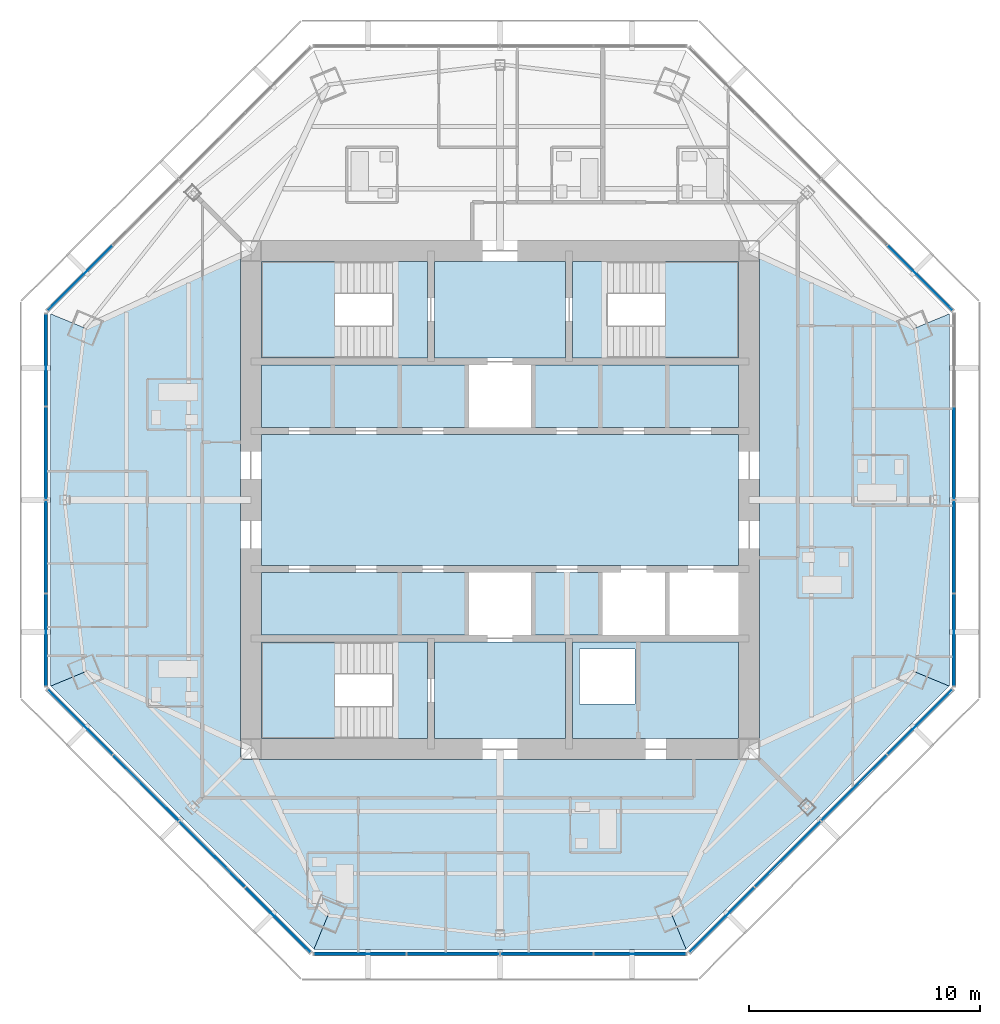
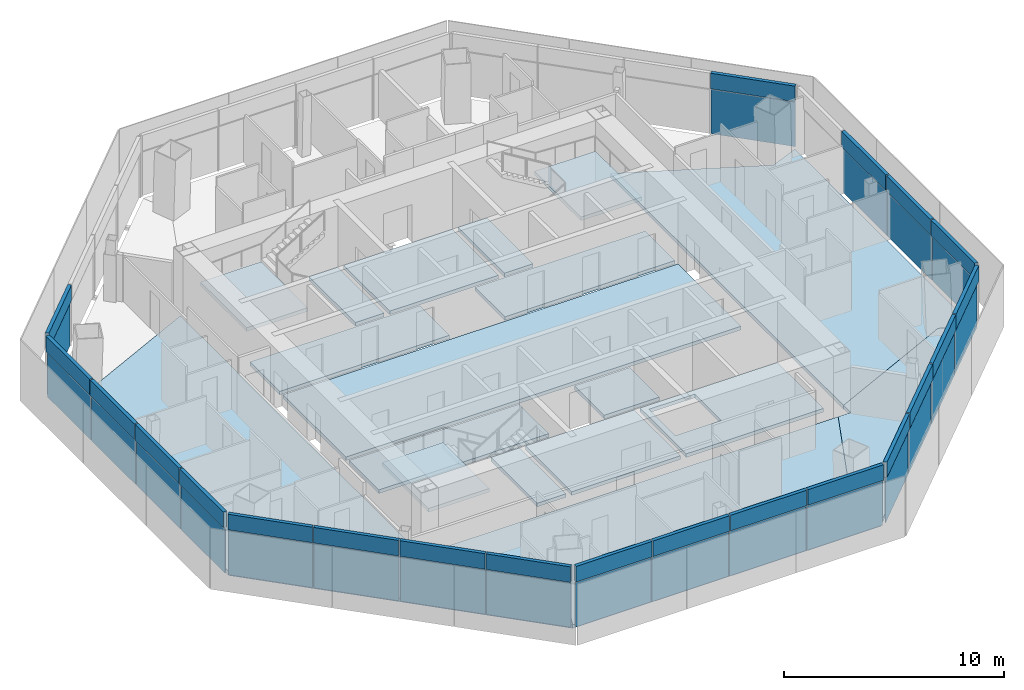
# One storey, part 7 of 15: 42 plates, 19 slabs, 10 elements without a shape of their own.
"""IFC4 building model written with IfcOpenShell, lengths in metres."""

import ifcopenshell
import ifcopenshell.guid

model = None  # the IFC model being written
_history = None  # IfcOwnerHistory: only IFC2X3 demands one
_inside = {}  # id of a spatial element -> (the spatial element, [elements in it])
_under = {}  # id of a project, library or spatial element -> (it, [spatial elements below it])
_declared = {}  # id of a project -> (the project, [libraries it declares])
_typed = {}  # id of a type object -> (the type object, [elements of that type])
_made_of = {}  # id of a material, layer set ... -> (it, [elements and type objects made of it])


def new_model(schema):
    """Start an empty IFC model of exactly this schema.

    Asked for "IFC4X3", IfcOpenShell would pick the latest addendum, in which some entities
    have other attributes; the version numbers below select the first issue.
    IFC2X3 requires an IfcOwnerHistory on every rooted entity: one is made here for all.
    """
    global model, _history
    if schema == "IFC4X3":
        model = ifcopenshell.file(schema_version=(4, 3, 0, 0))
    else:
        model = ifcopenshell.file(schema=schema)
    _inside.clear()
    _under.clear()
    _declared.clear()
    _typed.clear()
    _made_of.clear()
    _history = None
    if model.schema == "IFC2X3":
        org = make("IfcOrganization", Name="unknown")
        user = make(
            "IfcPersonAndOrganization",
            ThePerson=make("IfcPerson", FamilyName="unknown"),
            TheOrganization=org,
        )
        app = make(
            "IfcApplication",
            ApplicationDeveloper=org,
            Version="unknown",
            ApplicationFullName="unknown",
            ApplicationIdentifier="unknown",
        )
        _history = make(
            "IfcOwnerHistory",
            OwningUser=user,
            OwningApplication=app,
            ChangeAction="ADDED",
            CreationDate=0,
        )
    return model


def make(cls, **values):
    """One entity of the class cls with the attributes given. An attribute that is None is left unset."""
    return model.create_entity(
        cls, **{name: value for name, value in values.items() if value is not None}
    )


def rooted(cls, **values):
    """An entity with a GlobalId (a new one), such as an element, a storey or a relation."""
    return make(cls, GlobalId=ifcopenshell.guid.new(), OwnerHistory=_history, **values)


def si_unit(unit_type, name, prefix=None):
    """IfcSIUnit, for example si_unit("LENGTHUNIT", "METRE", prefix="MILLI")."""
    return make("IfcSIUnit", UnitType=unit_type, Prefix=prefix, Name=name)


def assignment(units):
    """IfcUnitAssignment: the units of a project."""
    return None if units is None else make("IfcUnitAssignment", Units=units)


def point(xyz):
    """IfcCartesianPoint."""
    return None if xyz is None else make("IfcCartesianPoint", Coordinates=xyz)


def direction(xyz):
    """IfcDirection."""
    return None if xyz is None else make("IfcDirection", DirectionRatios=xyz)


def frame(location, z_axis=None, x_axis=None):
    """IfcAxis2Placement3D, a coordinate frame: its origin and axes. An axis left out is left unset."""
    return make(
        "IfcAxis2Placement3D",
        Location=point(location),
        Axis=direction(z_axis),
        RefDirection=direction(x_axis),
    )


def frame_2d(location, x_axis=None):
    """IfcAxis2Placement2D, a coordinate frame in the plane: its origin and x axis."""
    return make(
        "IfcAxis2Placement2D", Location=point(location), RefDirection=direction(x_axis)
    )


def origin():
    """The frame at (0, 0, 0) with its axes left unset."""
    return frame((0.0, 0.0, 0.0))


def origin_2d():
    """The frame at (0, 0) in the plane with its x axis left unset."""
    return frame_2d((0.0, 0.0))


def place(relative_to, where):
    """IfcLocalPlacement: puts the frame where relative to a parent placement (None: the world)."""
    return make(
        "IfcLocalPlacement", PlacementRelTo=relative_to, RelativePlacement=where
    )


def context(
    kind, dimensions, precision=None, world=None, true_north=None, identifier=None
):
    """IfcGeometricRepresentationContext, for example the 3D "Model" context."""
    return make(
        "IfcGeometricRepresentationContext",
        ContextIdentifier=identifier,
        ContextType=kind,
        CoordinateSpaceDimension=dimensions,
        Precision=precision,
        WorldCoordinateSystem=world,
        TrueNorth=true_north,
    )


def subcontext(parent, identifier, kind, view, scale=None):
    """IfcGeometricRepresentationSubContext, for example "Body" below "Model"."""
    return make(
        "IfcGeometricRepresentationSubContext",
        ContextIdentifier=identifier,
        ContextType=kind,
        ParentContext=parent,
        TargetScale=scale,
        TargetView=view,
    )


def project(units=None, contexts=None):
    """IfcProject with its units and contexts."""
    return rooted(
        "IfcProject",
        Name="project",
        RepresentationContexts=contexts,
        UnitsInContext=assignment(units),
    )


def spatial(cls, under=None, at=None, **own):
    """A site, building, storey or space (cls), placed at a placement, below another one or the project."""
    s = rooted(cls, ObjectPlacement=at, **own)
    if under is not None:
        _under.setdefault(under.id(), (under, []))[1].append(s)
    return s


def polyline(points):
    """IfcPolyline through the points."""
    return make("IfcPolyline", Points=[point(p) for p in points])


def profile(cls, at=None, kind="AREA", **sizes):
    """A parametric profile (cls). Its sizes go by their IFC names, for example OverallWidth=200.0."""
    return make(cls, ProfileType=kind, Position=at, **sizes)


def rectangle(**sizes):
    """IfcRectangleProfileDef."""
    return profile("IfcRectangleProfileDef", **sizes)


def outline(outer, holes=None, kind="AREA"):
    """IfcArbitraryClosedProfileDef: a profile drawn as a closed curve; with holes, ...WithVoids."""
    if holes is None:
        return make("IfcArbitraryClosedProfileDef", ProfileType=kind, OuterCurve=outer)
    return make(
        "IfcArbitraryProfileDefWithVoids",
        ProfileType=kind,
        OuterCurve=outer,
        InnerCurves=holes,
    )


def extrude(swept, where, along, depth):
    """IfcExtrudedAreaSolid: the profile swept, set in the frame where, extruded along a direction by depth."""
    return make(
        "IfcExtrudedAreaSolid",
        SweptArea=swept,
        Position=where,
        ExtrudedDirection=direction(along),
        Depth=depth,
    )


def shape(context_of_items, identifier, shape_type, items):
    """IfcShapeRepresentation: the items that make up one representation, for example the "Body"."""
    return make(
        "IfcShapeRepresentation",
        ContextOfItems=context_of_items,
        RepresentationIdentifier=identifier,
        RepresentationType=shape_type,
        Items=items,
    )


def source(mapping_origin, context_of_items, identifier, shape_type, items):
    """IfcRepresentationMap: a shape defined once, which mapped items show again and again."""
    return make(
        "IfcRepresentationMap",
        MappingOrigin=mapping_origin,
        MappedRepresentation=shape(context_of_items, identifier, shape_type, items),
    )


def transform(
    local_origin,
    x_axis=None,
    y_axis=None,
    z_axis=None,
    scale=None,
    scale2=None,
    scale3=None,
    uniform=True,
):
    """IfcCartesianTransformationOperator3D, or its non-uniform kind. x_axis, y_axis, z_axis: its Axis1, 2, 3."""
    if uniform:
        return make(
            "IfcCartesianTransformationOperator3D",
            Axis1=direction(x_axis),
            Axis2=direction(y_axis),
            LocalOrigin=point(local_origin),
            Scale=scale,
            Axis3=direction(z_axis),
        )
    return make(
        "IfcCartesianTransformationOperator3DnonUniform",
        Axis1=direction(x_axis),
        Axis2=direction(y_axis),
        LocalOrigin=point(local_origin),
        Scale=scale,
        Axis3=direction(z_axis),
        Scale2=scale2,
        Scale3=scale3,
    )


def mapped(mapping_source, mapping_target):
    """IfcMappedItem: shows the shape of a source again, moved by a transform."""
    return make(
        "IfcMappedItem", MappingSource=mapping_source, MappingTarget=mapping_target
    )


def material(Name=None, Category=None):
    """IfcMaterial."""
    return make("IfcMaterial", Name=Name, Category=Category)


def layer(
    of_material, thickness, ventilated=None, Name=None, Category=None, Priority=None
):
    """IfcMaterialLayer: one layer of a wall or slab, of a material (None: an air gap)."""
    return make(
        "IfcMaterialLayer",
        Material=of_material,
        LayerThickness=thickness,
        IsVentilated=ventilated,
        Name=Name,
        Category=Category,
        Priority=Priority,
    )


def layer_set(layers, Name=None):
    """IfcMaterialLayerSet."""
    return make("IfcMaterialLayerSet", MaterialLayers=layers, LayerSetName=Name)


def made_of(thing, what):
    """Note that an element or type object is made of a material, layer set ...; save() writes the relation."""
    if what is not None:
        _made_of.setdefault(what.id(), (what, []))[1].append(thing)
    return thing


def type_object(cls, material=None, **own):
    """A type object (cls), such as IfcWallType, which elements share."""
    return made_of(rooted(cls, **own), material)


def type_shapes(of_type, sources):
    """Give a type object the sources (RepresentationMaps) that its elements show as mapped items."""
    of_type.RepresentationMaps = sources


def element(
    cls,
    number,
    at=None,
    inside=None,
    cuts=None,
    type_object=None,
    material=None,
    context=None,
    identifier="Body",
    shape_type=None,
    held_by="IfcProductDefinitionShape",
    body=None,
    shapes=None,
    **own,
):
    """One element of the class cls, such as IfcWall. Its Tag is "e" and its number.

    at: its placement. inside: the storey or other place that contains it. cuts: it is an
    opening in that element (IfcRelVoidsElement). A single representation is given by context,
    identifier, shape_type and body (its items); several are given by shapes. held_by: the class
    of the entity that holds the representations. save() writes the other relations.
    """
    e = rooted(cls, Tag="e%d" % number, ObjectPlacement=at, **own)
    if body is not None:
        shapes = [shape(context, identifier, shape_type, body)]
    if shapes is not None:
        e.Representation = make(held_by, Representations=shapes)
    if inside is not None:
        _inside.setdefault(inside.id(), (inside, []))[1].append(e)
    if cuts is not None:
        rooted(
            "IfcRelVoidsElement", RelatingBuildingElement=cuts, RelatedOpeningElement=e
        )
    if type_object is not None:
        _typed.setdefault(type_object.id(), (type_object, []))[1].append(e)
    return made_of(e, material)


def aggregate(whole, parts):
    """IfcRelAggregates: a whole, such as a stair, and the parts it consists of."""
    return rooted("IfcRelAggregates", RelatingObject=whole, RelatedObjects=parts)


def save(model, path):
    """Write the relations noted so far, then the file.

    IfcRelAggregates (storeys below a building ...), IfcRelContainedInSpatialStructure (elements
    in a storey), IfcRelDefinesByType, IfcRelAssociatesMaterial and IfcRelDeclares: one each for
    every whole, place, type object, material and project.
    """
    for whole, parts in _under.values():
        aggregate(whole, parts)
    for where, things in _inside.values():
        rooted(
            "IfcRelContainedInSpatialStructure",
            RelatedElements=things,
            RelatingStructure=where,
        )
    for kind, things in _typed.values():
        rooted("IfcRelDefinesByType", RelatedObjects=things, RelatingType=kind)
    for what, things in _made_of.values():
        rooted("IfcRelAssociatesMaterial", RelatedObjects=things, RelatingMaterial=what)
    for by, libraries in _declared.values():
        rooted("IfcRelDeclares", RelatingContext=by, RelatedDefinitions=libraries)
    model.write(path)


model = new_model("IFC4")

# Units and contexts
model_context = context("Model", 3, precision=1e-05, world=origin(), true_north=direction((0.0, 1.0)))
body_context = subcontext(model_context, "Body", "Model", "MODEL_VIEW")
ifc_project = project(units=[si_unit("LENGTHUNIT", "METRE"), si_unit("AREAUNIT", "SQUARE_METRE"), si_unit("VOLUMEUNIT", "CUBIC_METRE"), si_unit("PLANEANGLEUNIT", "RADIAN"), si_unit("MASSUNIT", "GRAM", prefix="KILO")], contexts=[model_context])

# Site, building, storey
site_placement = place(None, origin())
site = spatial("IfcSite", under=ifc_project, at=site_placement, CompositionType="ELEMENT")
building_placement = place(site_placement, origin())
building = spatial("IfcBuilding", under=site, at=building_placement, Name="Mashrafa Tower", CompositionType="ELEMENT")
storey_placement = place(building_placement, frame((0.0, 0.0, 294.60009765625)))
storey = spatial("IfcBuildingStorey", under=building, at=storey_placement, Name="L72", CompositionType="ELEMENT", Elevation=294.60009765625)

# Slabs
ifc_material_1 = material(Name="Concrete C35/45", Category="concrete")
ifc_layer_1 = layer(ifc_material_1, 0.199951171875)
ifc_layer_set_1 = layer_set([ifc_layer_1], Name="Floor slab 200")
slab_type_1 = type_object("IfcSlabType", Name="Floor slab 200", PredefinedType="FLOOR", material=ifc_layer_set_1)
slab_1_placement = place(storey_placement, frame((0.0, 0.0, -0.2001953125)))
element("IfcSlab", 1, at=slab_1_placement, inside=storey, type_object=slab_type_1, Name="Floor slab L72 east bay", PredefinedType="FLOOR", context=body_context, shape_type="SweptSolid", body=[
    extrude(outline(polyline([(19.48095703125, -8.0693359375), (18.00830078125, -7.459228515625), (11.25, -10.591552734375), (11.25, 10.591552734375), (18.00830078125, 7.459228515625), (19.48095703125, 8.0693359375), (19.48095703125, -8.0693359375)])), origin(), (0.0, 0.0, 1.0), 0.2001953125),
])
slab_2_placement = place(storey_placement, frame((0.0, 0.0, -0.2001953125)))
element("IfcSlab", 2, at=slab_2_placement, inside=storey, type_object=slab_type_1, Name="Floor slab L72 west bay", PredefinedType="FLOOR", context=body_context, shape_type="SweptSolid", body=[
    extrude(outline(polyline([(-19.48095703125, 8.0693359375), (-18.00830078125, 7.459228515625), (-11.25, 10.591552734375), (-11.25, -10.591552734375), (-18.00830078125, -7.459228515625), (-19.48095703125, -8.0693359375), (-19.48095703125, 8.0693359375)])), origin(), (0.0, 0.0, 1.0), 0.2001953125),
])
slab_3_placement = place(storey_placement, frame((0.0, 0.0, -0.2001953125)))
element("IfcSlab", 3, at=slab_3_placement, inside=storey, type_object=slab_type_1, Name="Floor slab L72 south-west bay", PredefinedType="FLOOR", context=body_context, shape_type="SweptSolid", body=[
    extrude(outline(polyline([(-8.0693359375, -19.48095703125), (-19.48095703125, -8.0693359375), (-19.48095703125, -8.0693359375), (-18.00830078125, -7.459228515625), (-11.25, -10.591552734375), (-11.25, -11.25), (-10.591552734375, -11.25), (-7.459228515625, -18.00830078125), (-8.0693359375, -19.48095703125), (-8.0693359375, -19.48095703125)])), origin(), (0.0, 0.0, 1.0), 0.2001953125),
])
slab_4_placement = place(storey_placement, frame((0.0, 0.0, -0.2001953125)))
element("IfcSlab", 4, at=slab_4_placement, inside=storey, type_object=slab_type_1, Name="Floor slab L72 south bay", PredefinedType="FLOOR", context=body_context, shape_type="SweptSolid", body=[
    extrude(outline(polyline([(-8.0693359375, -19.48095703125), (-7.459228515625, -18.00830078125), (-10.591552734375, -11.25), (10.591552734375, -11.25), (7.459228515625, -18.00830078125), (8.0693359375, -19.48095703125), (-8.0693359375, -19.48095703125)])), origin(), (0.0, 0.0, 1.0), 0.2001953125),
])
slab_5_placement = place(storey_placement, frame((0.0, 0.0, -0.2001953125)))
element("IfcSlab", 5, at=slab_5_placement, inside=storey, type_object=slab_type_1, Name="Floor slab L72 south-east bay", PredefinedType="FLOOR", context=body_context, shape_type="SweptSolid", body=[
    extrude(outline(polyline([(8.0693359375, -19.48095703125), (7.459228515625, -18.00830078125), (10.591552734375, -11.25), (11.25, -11.25), (11.25, -10.591552734375), (18.00830078125, -7.459228515625), (19.48095703125, -8.0693359375), (19.48095703125, -8.0693359375), (8.0693359375, -19.48095703125), (8.0693359375, -19.48095703125)])), origin(), (0.0, 0.0, 1.0), 0.2001953125),
])
slab_6_placement = place(storey_placement, frame((0.0, 0.0, -0.2001953125)))
element("IfcSlab", 6, at=slab_6_placement, inside=storey, type_object=slab_type_1, Name="Core floor lift hall L72", PredefinedType="FLOOR", context=body_context, shape_type="SweptSolid", body=[
    extrude(outline(polyline([(-10.35009765625, 2.85009765625), (10.35009765625, 2.85009765625), (10.35009765625, -2.85009765625), (-10.35009765625, -2.85009765625), (-10.35009765625, 2.85009765625)])), origin(), (0.0, 0.0, 1.0), 0.2001953125),
])
slab_7_placement = place(storey_placement, frame((0.0, 0.0, -0.2001953125)))
element("IfcSlab", 7, at=slab_7_placement, inside=storey, type_object=slab_type_1, Name="Core floor riser and electrical band L72", PredefinedType="FLOOR", context=body_context, shape_type="SweptSolid", body=[
    extrude(outline(polyline([(10.35009765625, -6.14990234375), (10.35009765625, -10.35009765625), (3.14990234375, -10.35009765625), (3.14990234375, -6.14990234375), (10.35009765625, -6.14990234375)]), holes=[polyline([(3.449951171875, -8.85009765625), (5.85009765625, -8.85009765625), (5.85009765625, -6.449951171875), (3.449951171875, -6.449951171875), (3.449951171875, -8.85009765625)])]), origin(), (0.0, 0.0, 1.0), 0.2001953125),
])
slab_8_placement = place(storey_placement, frame((0.0, 0.0, -0.2001953125)))
element("IfcSlab", 8, at=slab_8_placement, inside=storey, type_object=slab_type_1, Name="Core floor lift cell L72", PredefinedType="FLOOR", context=body_context, shape_type="SweptSolid", body=[
    extrude(outline(polyline([(10.35009765625, 5.85009765625), (10.35009765625, 3.14990234375), (1.449951171875, 3.14990234375), (1.449951171875, 5.85009765625), (10.35009765625, 5.85009765625)])), origin(), (0.0, 0.0, 1.0), 0.2001953125),
])
slab_9_placement = place(storey_placement, frame((0.0, 0.0, -0.2001953125)))
element("IfcSlab", 9, at=slab_9_placement, inside=storey, type_object=slab_type_1, Name="Core floor lift cell L72", PredefinedType="FLOOR", context=body_context, shape_type="SweptSolid", body=[
    extrude(outline(polyline([(-1.449951171875, 3.14990234375), (-10.35009765625, 3.14990234375), (-10.35009765625, 5.85009765625), (-1.449951171875, 5.85009765625), (-1.449951171875, 3.14990234375)])), origin(), (0.0, 0.0, 1.0), 0.2001953125),
])
slab_10_placement = place(storey_placement, frame((0.0, 0.0, -0.2001953125)))
element("IfcSlab", 10, at=slab_10_placement, inside=storey, type_object=slab_type_1, Name="Core floor lift cell L72", PredefinedType="FLOOR", context=body_context, shape_type="SweptSolid", body=[
    extrude(outline(polyline([(-1.449951171875, -3.14990234375), (-1.449951171875, -5.85009765625), (-10.35009765625, -5.85009765625), (-10.35009765625, -3.14990234375), (-1.449951171875, -3.14990234375)])), origin(), (0.0, 0.0, 1.0), 0.2001953125),
])
slab_11_placement = place(storey_placement, frame((0.0, 0.0, -0.2001953125)))
element("IfcSlab", 11, at=slab_11_placement, inside=storey, type_object=slab_type_1, Name="Core floor fire-fighting lobby south L72", PredefinedType="FLOOR", context=body_context, shape_type="SweptSolid", body=[
    extrude(outline(polyline([(2.85009765625, -6.14990234375), (2.85009765625, -10.35009765625), (-2.85009765625, -10.35009765625), (-2.85009765625, -6.14990234375), (2.85009765625, -6.14990234375)])), origin(), (0.0, 0.0, 1.0), 0.2001953125),
])
slab_12_placement = place(storey_placement, frame((0.0, 0.0, -0.2001953125)))
element("IfcSlab", 12, at=slab_12_placement, inside=storey, type_object=slab_type_1, Name="Core floor fire-fighting lobby north L72", PredefinedType="FLOOR", context=body_context, shape_type="SweptSolid", body=[
    extrude(outline(polyline([(-2.85009765625, 10.35009765625), (2.85009765625, 10.35009765625), (2.85009765625, 6.14990234375), (-2.85009765625, 6.14990234375), (-2.85009765625, 10.35009765625)])), origin(), (0.0, 0.0, 1.0), 0.2001953125),
])
slab_13_placement = place(storey_placement, frame((0.0, 0.0, -0.2001953125)))
element("IfcSlab", 13, at=slab_13_placement, inside=storey, type_object=slab_type_1, Name="Core floor lift cell L72", PredefinedType="FLOOR", context=body_context, shape_type="SweptSolid", body=[
    extrude(outline(polyline([(4.35009765625, -3.14990234375), (4.35009765625, -5.85009765625), (1.449951171875, -5.85009765625), (1.449951171875, -3.14990234375), (4.35009765625, -3.14990234375)])), origin(), (0.0, 0.0, 1.0), 0.2001953125),
])

# Stair, slabs
ifc_material_2 = material(Name="Exit stair 1400")
stair_type = type_object("IfcStairType", Name="Exit stair 1400", PredefinedType="HALF_TURN_STAIR", material=ifc_material_2)
stair_1_placement = place(storey_placement, origin())
stair_1 = element("IfcStair", 14, at=stair_1_placement, inside=storey, type_object=stair_type, Name="Stair S1 L72", PredefinedType="HALF_TURN_STAIR")
ifc_material_3 = material(Name="Concrete C32/40", Category="concrete")
ifc_layer_2 = layer(ifc_material_3, 0.199951171875)
ifc_layer_set_2 = layer_set([ifc_layer_2], Name="Stair landing 200")
slab_type_2 = type_object("IfcSlabType", Name="Stair landing 200", PredefinedType="LANDING", material=ifc_layer_set_2)
slab_14_placement = place(storey_placement, frame((0.0, 0.0, -0.2001953125)))
slab_14 = element("IfcSlab", 15, at=slab_14_placement, type_object=slab_type_2, Name="S1 landing 1", PredefinedType="LANDING", context=body_context, shape_type="SweptSolid", body=[
    extrude(outline(polyline([(-4.659912109375, 6.14990234375), (-3.14990234375, 6.14990234375), (-3.14990234375, 10.35009765625), (-4.659912109375, 10.35009765625), (-4.659912109375, 6.14990234375)])), origin(), (0.0, 0.0, 1.0), 0.2001953125),
])
slab_15_placement = place(storey_placement, frame((0.0, 0.0, 1.5)))
slab_15 = element("IfcSlab", 16, at=slab_15_placement, type_object=slab_type_2, Name="S1 landing 2", PredefinedType="LANDING", context=body_context, shape_type="SweptSolid", body=[
    extrude(outline(polyline([(-10.35009765625, 6.14990234375), (-7.159912109375, 6.14990234375), (-7.159912109375, 10.35009765625), (-10.35009765625, 10.35009765625), (-10.35009765625, 6.14990234375)])), origin(), (0.0, 0.0, 1.0), 0.199951171875),
])
aggregate(stair_1, [slab_14, slab_15])

stair_2_placement = place(storey_placement, origin())
stair_2 = element("IfcStair", 17, at=stair_2_placement, inside=storey, type_object=stair_type, Name="Stair S2 L72", PredefinedType="HALF_TURN_STAIR")
slab_16_placement = place(storey_placement, frame((0.0, 0.0, -0.2001953125)))
slab_16 = element("IfcSlab", 18, at=slab_16_placement, type_object=slab_type_2, Name="S2 landing 1", PredefinedType="LANDING", context=body_context, shape_type="SweptSolid", body=[
    extrude(outline(polyline([(3.14990234375, 6.14990234375), (4.659912109375, 6.14990234375), (4.659912109375, 10.35009765625), (3.14990234375, 10.35009765625), (3.14990234375, 6.14990234375)])), origin(), (0.0, 0.0, 1.0), 0.2001953125),
])
slab_17_placement = place(storey_placement, frame((0.0, 0.0, 1.5)))
slab_17 = element("IfcSlab", 19, at=slab_17_placement, type_object=slab_type_2, Name="S2 landing 2", PredefinedType="LANDING", context=body_context, shape_type="SweptSolid", body=[
    extrude(outline(polyline([(7.159912109375, 6.14990234375), (10.35009765625, 6.14990234375), (10.35009765625, 10.35009765625), (7.159912109375, 10.35009765625), (7.159912109375, 6.14990234375)])), origin(), (0.0, 0.0, 1.0), 0.199951171875),
])
aggregate(stair_2, [slab_16, slab_17])

stair_3_placement = place(storey_placement, origin())
stair_3 = element("IfcStair", 20, at=stair_3_placement, inside=storey, type_object=stair_type, Name="Stair S3 L72", PredefinedType="HALF_TURN_STAIR")
slab_18_placement = place(storey_placement, frame((0.0, 0.0, -0.2001953125)))
slab_18 = element("IfcSlab", 21, at=slab_18_placement, type_object=slab_type_2, Name="S3 landing 1", PredefinedType="LANDING", context=body_context, shape_type="SweptSolid", body=[
    extrude(outline(polyline([(-4.659912109375, -10.35009765625), (-3.14990234375, -10.35009765625), (-3.14990234375, -6.14990234375), (-4.659912109375, -6.14990234375), (-4.659912109375, -10.35009765625)])), origin(), (0.0, 0.0, 1.0), 0.2001953125),
])
slab_19_placement = place(storey_placement, frame((0.0, 0.0, 1.5)))
slab_19 = element("IfcSlab", 22, at=slab_19_placement, type_object=slab_type_2, Name="S3 landing 2", PredefinedType="LANDING", context=body_context, shape_type="SweptSolid", body=[
    extrude(outline(polyline([(-10.35009765625, -10.35009765625), (-7.159912109375, -10.35009765625), (-7.159912109375, -6.14990234375), (-10.35009765625, -6.14990234375), (-10.35009765625, -10.35009765625)])), origin(), (0.0, 0.0, 1.0), 0.199951171875),
])
aggregate(stair_3, [slab_18, slab_19])

# Curtain wall, plate
ifc_material_4 = material(Name="Unitised aluminium curtain wall", Category="aluminium")
curtain_wall_type = type_object("IfcCurtainWallType", Name="Apartment curtain wall, zone 4 CW-D 160 deep", PredefinedType="NOTDEFINED", material=ifc_material_4)
curtain_wall_1_placement = place(storey_placement, origin())
curtain_wall_1 = element("IfcCurtainWall", 23, at=curtain_wall_1_placement, inside=storey, type_object=curtain_wall_type, Name="Apartment curtain wall, zone 4 L72 east", PredefinedType="NOTDEFINED")
ifc_material_5 = material(Name="Insulated double glazing, acoustic", Category="glass")
ifc_layer_3 = layer(ifc_material_5, 0.028076171875)
ifc_layer_set_3 = layer_set([ifc_layer_3], Name="Vision panel CW-D 28")
plate_type_1 = type_object("IfcPlateType", Name="Vision panel CW-D 28", PredefinedType="CURTAIN_PANEL", material=ifc_layer_set_3)
shared_shape_1 = source(origin(), body_context, "Body", "SweptSolid", [
    extrude(rectangle(XDim=3.964599609375, YDim=0.028076171875, at=origin_2d()), origin(), (0.0, 0.0, 1.0), 2.46240234375),
])
plate_1_placement = place(storey_placement, frame((19.680908203125, -6.066650390625, 0.0), z_axis=(0.0, 0.0, 1.0), x_axis=(0.0, 1.0, 0.0)))
plate_1 = element("IfcPlate", 24, at=plate_1_placement, type_object=plate_type_1, Name="CW-D vision panel 1", PredefinedType="CURTAIN_PANEL", context=body_context, shape_type="MappedRepresentation", body=[
    mapped(shared_shape_1, transform((0.0, 0.0, 0.0))),
])

curtain_wall_2_placement = place(storey_placement, origin())
curtain_wall_2 = element("IfcCurtainWall", 25, at=curtain_wall_2_placement, inside=storey, type_object=curtain_wall_type, Name="Apartment curtain wall, zone 4 L72 north-east", PredefinedType="NOTDEFINED")
plate_2_placement = place(storey_placement, frame((18.206298828125, 9.626708984375, 0.0), z_axis=(0.0, 0.0, 1.0), x_axis=(-0.707106781187, 0.707106781187, 0.0)))
plate_2 = element("IfcPlate", 26, at=plate_2_placement, type_object=plate_type_1, Name="CW-D vision panel 1", PredefinedType="CURTAIN_PANEL", context=body_context, shape_type="MappedRepresentation", body=[
    mapped(shared_shape_1, transform((0.0, 0.0, 0.0))),
])

curtain_wall_3_placement = place(storey_placement, origin())
curtain_wall_3 = element("IfcCurtainWall", 27, at=curtain_wall_3_placement, inside=storey, type_object=curtain_wall_type, Name="Apartment curtain wall, zone 4 L72 north-west", PredefinedType="NOTDEFINED")
plate_3_placement = place(storey_placement, frame((-18.206298828125, 9.626708984375, 0.0), z_axis=(0.0, 0.0, 1.0), x_axis=(-0.707106781187, -0.707106781187, 0.0)))
plate_3 = element("IfcPlate", 28, at=plate_3_placement, type_object=plate_type_1, Name="CW-D vision panel 4", PredefinedType="CURTAIN_PANEL", context=body_context, shape_type="MappedRepresentation", body=[
    mapped(shared_shape_1, transform((0.0, 0.0, 0.0))),
])

# Curtain wall, plates
curtain_wall_4_placement = place(storey_placement, origin())
curtain_wall_4 = element("IfcCurtainWall", 29, at=curtain_wall_4_placement, inside=storey, type_object=curtain_wall_type, Name="Apartment curtain wall, zone 4 L72 west", PredefinedType="NOTDEFINED")
plate_4_placement = place(storey_placement, frame((-19.680908203125, 6.066650390625, 0.0), z_axis=(0.0, 0.0, 1.0), x_axis=(0.0, -1.0, 0.0)))
plate_4 = element("IfcPlate", 30, at=plate_4_placement, type_object=plate_type_1, Name="CW-D vision panel 1", PredefinedType="CURTAIN_PANEL", context=body_context, shape_type="MappedRepresentation", body=[
    mapped(shared_shape_1, transform((0.0, 0.0, 0.0))),
])
plate_5_placement = place(storey_placement, frame((-19.680908203125, -6.066650390625, 0.0), z_axis=(0.0, 0.0, 1.0), x_axis=(0.0, -1.0, 0.0)))
plate_5 = element("IfcPlate", 31, at=plate_5_placement, type_object=plate_type_1, Name="CW-D vision panel 4", PredefinedType="CURTAIN_PANEL", context=body_context, shape_type="MappedRepresentation", body=[
    mapped(shared_shape_1, transform((0.0, 0.0, 0.0))),
])

curtain_wall_5_placement = place(storey_placement, origin())
curtain_wall_5 = element("IfcCurtainWall", 32, at=curtain_wall_5_placement, inside=storey, type_object=curtain_wall_type, Name="Apartment curtain wall, zone 4 L72 south-west", PredefinedType="NOTDEFINED")
plate_6_placement = place(storey_placement, frame((-18.206298828125, -9.626708984375, 0.0), z_axis=(0.0, 0.0, 1.0), x_axis=(0.707106781187, -0.707106781187, 0.0)))
plate_6 = element("IfcPlate", 33, at=plate_6_placement, type_object=plate_type_1, Name="CW-D vision panel 1", PredefinedType="CURTAIN_PANEL", context=body_context, shape_type="MappedRepresentation", body=[
    mapped(shared_shape_1, transform((0.0, 0.0, 0.0))),
])
plate_7_placement = place(storey_placement, frame((-9.626708984375, -18.206298828125, 0.0), z_axis=(0.0, 0.0, 1.0), x_axis=(0.707106781187, -0.707106781187, 0.0)))
plate_7 = element("IfcPlate", 34, at=plate_7_placement, type_object=plate_type_1, Name="CW-D vision panel 4", PredefinedType="CURTAIN_PANEL", context=body_context, shape_type="MappedRepresentation", body=[
    mapped(shared_shape_1, transform((0.0, 0.0, 0.0))),
])

curtain_wall_6_placement = place(storey_placement, origin())
curtain_wall_6 = element("IfcCurtainWall", 35, at=curtain_wall_6_placement, inside=storey, type_object=curtain_wall_type, Name="Apartment curtain wall, zone 4 L72 south", PredefinedType="NOTDEFINED")
plate_8_placement = place(storey_placement, frame((-6.066650390625, -19.680908203125, 0.0), z_axis=(0.0, 0.0, 1.0), x_axis=(1.0, 0.0, 0.0)))
plate_8 = element("IfcPlate", 36, at=plate_8_placement, type_object=plate_type_1, Name="CW-D vision panel 1", PredefinedType="CURTAIN_PANEL", context=body_context, shape_type="MappedRepresentation", body=[
    mapped(shared_shape_1, transform((0.0, 0.0, 0.0))),
])
plate_9_placement = place(storey_placement, frame((6.066650390625, -19.680908203125, 0.0), z_axis=(0.0, 0.0, 1.0), x_axis=(1.0, 0.0, 0.0)))
plate_9 = element("IfcPlate", 37, at=plate_9_placement, type_object=plate_type_1, Name="CW-D vision panel 4", PredefinedType="CURTAIN_PANEL", context=body_context, shape_type="MappedRepresentation", body=[
    mapped(shared_shape_1, transform((0.0, 0.0, 0.0))),
])

curtain_wall_7_placement = place(storey_placement, origin())
curtain_wall_7 = element("IfcCurtainWall", 38, at=curtain_wall_7_placement, inside=storey, type_object=curtain_wall_type, Name="Apartment curtain wall, zone 4 L72 south-east", PredefinedType="NOTDEFINED")
plate_10_placement = place(storey_placement, frame((9.626708984375, -18.206298828125, 0.0), z_axis=(0.0, 0.0, 1.0), x_axis=(0.707106781187, 0.707106781187, 0.0)))
plate_10 = element("IfcPlate", 39, at=plate_10_placement, type_object=plate_type_1, Name="CW-D vision panel 1", PredefinedType="CURTAIN_PANEL", context=body_context, shape_type="MappedRepresentation", body=[
    mapped(shared_shape_1, transform((0.0, 0.0, 0.0))),
])
plate_11_placement = place(storey_placement, frame((18.206298828125, -9.626708984375, 0.0), z_axis=(0.0, 0.0, 1.0), x_axis=(0.707106781187, 0.707106781187, 0.0)))
plate_11 = element("IfcPlate", 40, at=plate_11_placement, type_object=plate_type_1, Name="CW-D vision panel 4", PredefinedType="CURTAIN_PANEL", context=body_context, shape_type="MappedRepresentation", body=[
    mapped(shared_shape_1, transform((0.0, 0.0, 0.0))),
])

# Plate
ifc_material_6 = material(Name="Insulated bronze aluminium spandrel panel", Category="aluminium")
ifc_layer_4 = layer(ifc_material_6, 0.179931640625)
ifc_layer_set_4 = layer_set([ifc_layer_4], Name="Spandrel panel CW-D 180")
plate_type_2 = type_object("IfcPlateType", Name="Spandrel panel CW-D 180", PredefinedType="CURTAIN_PANEL", material=ifc_layer_set_4)
shared_shape_2 = source(origin(), body_context, "Body", "SweptSolid", [
    extrude(rectangle(XDim=3.964599609375, YDim=0.179931640625, at=origin_2d()), origin(), (0.0, 0.0, 1.0), 0.862548828125),
])
plate_12_placement = place(storey_placement, frame((19.680908203125, -6.066650390625, 2.53759765625), z_axis=(0.0, 0.0, 1.0), x_axis=(0.0, 1.0, 0.0)))
plate_12 = element("IfcPlate", 41, at=plate_12_placement, type_object=plate_type_2, Name="CW-D spandrel panel 1", PredefinedType="CURTAIN_PANEL", context=body_context, shape_type="MappedRepresentation", body=[
    mapped(shared_shape_2, transform((0.0, 0.0, 0.0))),
])

plate_13_placement = place(storey_placement, frame((18.206298828125, 9.626708984375, 2.53759765625), z_axis=(0.0, 0.0, 1.0), x_axis=(-0.707106781187, 0.707106781187, 0.0)))
plate_13 = element("IfcPlate", 42, at=plate_13_placement, type_object=plate_type_2, Name="CW-D spandrel panel 1", PredefinedType="CURTAIN_PANEL", context=body_context, shape_type="MappedRepresentation", body=[
    mapped(shared_shape_2, transform((0.0, 0.0, 0.0))),
])

aggregate(curtain_wall_2, [plate_2, plate_13])

plate_14_placement = place(storey_placement, frame((-18.206298828125, 9.626708984375, 2.53759765625), z_axis=(0.0, 0.0, 1.0), x_axis=(-0.707106781187, -0.707106781187, 0.0)))
plate_14 = element("IfcPlate", 43, at=plate_14_placement, type_object=plate_type_2, Name="CW-D spandrel panel 4", PredefinedType="CURTAIN_PANEL", context=body_context, shape_type="MappedRepresentation", body=[
    mapped(shared_shape_2, transform((0.0, 0.0, 0.0))),
])

aggregate(curtain_wall_3, [plate_3, plate_14])

plate_15_placement = place(storey_placement, frame((-19.680908203125, 6.066650390625, 2.53759765625), z_axis=(0.0, 0.0, 1.0), x_axis=(0.0, -1.0, 0.0)))
plate_15 = element("IfcPlate", 44, at=plate_15_placement, type_object=plate_type_2, Name="CW-D spandrel panel 1", PredefinedType="CURTAIN_PANEL", context=body_context, shape_type="MappedRepresentation", body=[
    mapped(shared_shape_2, transform((0.0, 0.0, 0.0))),
])

plate_16_placement = place(storey_placement, frame((-19.680908203125, -6.066650390625, 2.53759765625), z_axis=(0.0, 0.0, 1.0), x_axis=(0.0, -1.0, 0.0)))
plate_16 = element("IfcPlate", 45, at=plate_16_placement, type_object=plate_type_2, Name="CW-D spandrel panel 4", PredefinedType="CURTAIN_PANEL", context=body_context, shape_type="MappedRepresentation", body=[
    mapped(shared_shape_2, transform((0.0, 0.0, 0.0))),
])

plate_17_placement = place(storey_placement, frame((-18.206298828125, -9.626708984375, 2.53759765625), z_axis=(0.0, 0.0, 1.0), x_axis=(0.707106781187, -0.707106781187, 0.0)))
plate_17 = element("IfcPlate", 46, at=plate_17_placement, type_object=plate_type_2, Name="CW-D spandrel panel 1", PredefinedType="CURTAIN_PANEL", context=body_context, shape_type="MappedRepresentation", body=[
    mapped(shared_shape_2, transform((0.0, 0.0, 0.0))),
])

plate_18_placement = place(storey_placement, frame((-9.626708984375, -18.206298828125, 2.53759765625), z_axis=(0.0, 0.0, 1.0), x_axis=(0.707106781187, -0.707106781187, 0.0)))
plate_18 = element("IfcPlate", 47, at=plate_18_placement, type_object=plate_type_2, Name="CW-D spandrel panel 4", PredefinedType="CURTAIN_PANEL", context=body_context, shape_type="MappedRepresentation", body=[
    mapped(shared_shape_2, transform((0.0, 0.0, 0.0))),
])

plate_19_placement = place(storey_placement, frame((-6.066650390625, -19.680908203125, 2.53759765625), z_axis=(0.0, 0.0, 1.0), x_axis=(1.0, 0.0, 0.0)))
plate_19 = element("IfcPlate", 48, at=plate_19_placement, type_object=plate_type_2, Name="CW-D spandrel panel 1", PredefinedType="CURTAIN_PANEL", context=body_context, shape_type="MappedRepresentation", body=[
    mapped(shared_shape_2, transform((0.0, 0.0, 0.0))),
])

plate_20_placement = place(storey_placement, frame((6.066650390625, -19.680908203125, 2.53759765625), z_axis=(0.0, 0.0, 1.0), x_axis=(1.0, 0.0, 0.0)))
plate_20 = element("IfcPlate", 49, at=plate_20_placement, type_object=plate_type_2, Name="CW-D spandrel panel 4", PredefinedType="CURTAIN_PANEL", context=body_context, shape_type="MappedRepresentation", body=[
    mapped(shared_shape_2, transform((0.0, 0.0, 0.0))),
])

plate_21_placement = place(storey_placement, frame((9.626708984375, -18.206298828125, 2.53759765625), z_axis=(0.0, 0.0, 1.0), x_axis=(0.707106781187, 0.707106781187, 0.0)))
plate_21 = element("IfcPlate", 50, at=plate_21_placement, type_object=plate_type_2, Name="CW-D spandrel panel 1", PredefinedType="CURTAIN_PANEL", context=body_context, shape_type="MappedRepresentation", body=[
    mapped(shared_shape_2, transform((0.0, 0.0, 0.0))),
])

plate_22_placement = place(storey_placement, frame((18.206298828125, -9.626708984375, 2.53759765625), z_axis=(0.0, 0.0, 1.0), x_axis=(0.707106781187, 0.707106781187, 0.0)))
plate_22 = element("IfcPlate", 51, at=plate_22_placement, type_object=plate_type_2, Name="CW-D spandrel panel 4", PredefinedType="CURTAIN_PANEL", context=body_context, shape_type="MappedRepresentation", body=[
    mapped(shared_shape_2, transform((0.0, 0.0, 0.0))),
])

shared_shape_3 = source(origin(), body_context, "Body", "SweptSolid", [
    extrude(rectangle(XDim=3.994384765625, YDim=0.028076171875, at=origin_2d()), origin(), (0.0, 0.0, 1.0), 2.46240234375),
])
type_shapes(plate_type_1, [shared_shape_1, shared_shape_3])
plate_23_placement = place(storey_placement, frame((19.680908203125, -2.02734375, 0.0), z_axis=(0.0, 0.0, 1.0), x_axis=(0.0, 1.0, 0.0)))
plate_23 = element("IfcPlate", 52, at=plate_23_placement, type_object=plate_type_1, Name="CW-D vision panel 2", PredefinedType="CURTAIN_PANEL", context=body_context, shape_type="MappedRepresentation", body=[
    mapped(shared_shape_3, transform((0.0, 0.0, 0.0))),
])

plate_24_placement = place(storey_placement, frame((19.680908203125, 2.02734375, 0.0), z_axis=(0.0, 0.0, 1.0), x_axis=(0.0, 1.0, 0.0)))
plate_24 = element("IfcPlate", 53, at=plate_24_placement, type_object=plate_type_1, Name="CW-D vision panel 3", PredefinedType="CURTAIN_PANEL", context=body_context, shape_type="MappedRepresentation", body=[
    mapped(shared_shape_3, transform((0.0, 0.0, 0.0))),
])

plate_25_placement = place(storey_placement, frame((-19.680908203125, 2.02734375, 0.0), z_axis=(0.0, 0.0, 1.0), x_axis=(0.0, -1.0, 0.0)))
plate_25 = element("IfcPlate", 54, at=plate_25_placement, type_object=plate_type_1, Name="CW-D vision panel 2", PredefinedType="CURTAIN_PANEL", context=body_context, shape_type="MappedRepresentation", body=[
    mapped(shared_shape_3, transform((0.0, 0.0, 0.0))),
])

plate_26_placement = place(storey_placement, frame((-19.680908203125, -2.02734375, 0.0), z_axis=(0.0, 0.0, 1.0), x_axis=(0.0, -1.0, 0.0)))
plate_26 = element("IfcPlate", 55, at=plate_26_placement, type_object=plate_type_1, Name="CW-D vision panel 3", PredefinedType="CURTAIN_PANEL", context=body_context, shape_type="MappedRepresentation", body=[
    mapped(shared_shape_3, transform((0.0, 0.0, 0.0))),
])

plate_27_placement = place(storey_placement, frame((-15.35009765625, -12.48291015625, 0.0), z_axis=(0.0, 0.0, 1.0), x_axis=(0.707106781187, -0.707106781187, 0.0)))
plate_27 = element("IfcPlate", 56, at=plate_27_placement, type_object=plate_type_1, Name="CW-D vision panel 2", PredefinedType="CURTAIN_PANEL", context=body_context, shape_type="MappedRepresentation", body=[
    mapped(shared_shape_3, transform((0.0, 0.0, 0.0))),
])

plate_28_placement = place(storey_placement, frame((-12.48291015625, -15.35009765625, 0.0), z_axis=(0.0, 0.0, 1.0), x_axis=(0.707106781187, -0.707106781187, 0.0)))
plate_28 = element("IfcPlate", 57, at=plate_28_placement, type_object=plate_type_1, Name="CW-D vision panel 3", PredefinedType="CURTAIN_PANEL", context=body_context, shape_type="MappedRepresentation", body=[
    mapped(shared_shape_3, transform((0.0, 0.0, 0.0))),
])

plate_29_placement = place(storey_placement, frame((-2.02734375, -19.680908203125, 0.0), z_axis=(0.0, 0.0, 1.0), x_axis=(1.0, 0.0, 0.0)))
plate_29 = element("IfcPlate", 58, at=plate_29_placement, type_object=plate_type_1, Name="CW-D vision panel 2", PredefinedType="CURTAIN_PANEL", context=body_context, shape_type="MappedRepresentation", body=[
    mapped(shared_shape_3, transform((0.0, 0.0, 0.0))),
])

plate_30_placement = place(storey_placement, frame((2.02734375, -19.680908203125, 0.0), z_axis=(0.0, 0.0, 1.0), x_axis=(1.0, 0.0, 0.0)))
plate_30 = element("IfcPlate", 59, at=plate_30_placement, type_object=plate_type_1, Name="CW-D vision panel 3", PredefinedType="CURTAIN_PANEL", context=body_context, shape_type="MappedRepresentation", body=[
    mapped(shared_shape_3, transform((0.0, 0.0, 0.0))),
])

plate_31_placement = place(storey_placement, frame((12.48291015625, -15.35009765625, 0.0), z_axis=(0.0, 0.0, 1.0), x_axis=(0.707106781187, 0.707106781187, 0.0)))
plate_31 = element("IfcPlate", 60, at=plate_31_placement, type_object=plate_type_1, Name="CW-D vision panel 2", PredefinedType="CURTAIN_PANEL", context=body_context, shape_type="MappedRepresentation", body=[
    mapped(shared_shape_3, transform((0.0, 0.0, 0.0))),
])

plate_32_placement = place(storey_placement, frame((15.35009765625, -12.48291015625, 0.0), z_axis=(0.0, 0.0, 1.0), x_axis=(0.707106781187, 0.707106781187, 0.0)))
plate_32 = element("IfcPlate", 61, at=plate_32_placement, type_object=plate_type_1, Name="CW-D vision panel 3", PredefinedType="CURTAIN_PANEL", context=body_context, shape_type="MappedRepresentation", body=[
    mapped(shared_shape_3, transform((0.0, 0.0, 0.0))),
])

shared_shape_4 = source(origin(), body_context, "Body", "SweptSolid", [
    extrude(rectangle(XDim=3.994384765625, YDim=0.179931640625, at=origin_2d()), origin(), (0.0, 0.0, 1.0), 0.862548828125),
])
type_shapes(plate_type_2, [shared_shape_2, shared_shape_4])
plate_33_placement = place(storey_placement, frame((19.680908203125, -2.02734375, 2.53759765625), z_axis=(0.0, 0.0, 1.0), x_axis=(0.0, 1.0, 0.0)))
plate_33 = element("IfcPlate", 62, at=plate_33_placement, type_object=plate_type_2, Name="CW-D spandrel panel 2", PredefinedType="CURTAIN_PANEL", context=body_context, shape_type="MappedRepresentation", body=[
    mapped(shared_shape_4, transform((0.0, 0.0, 0.0))),
])

plate_34_placement = place(storey_placement, frame((19.680908203125, 2.02734375, 2.53759765625), z_axis=(0.0, 0.0, 1.0), x_axis=(0.0, 1.0, 0.0)))
plate_34 = element("IfcPlate", 63, at=plate_34_placement, type_object=plate_type_2, Name="CW-D spandrel panel 3", PredefinedType="CURTAIN_PANEL", context=body_context, shape_type="MappedRepresentation", body=[
    mapped(shared_shape_4, transform((0.0, 0.0, 0.0))),
])

aggregate(curtain_wall_1, [plate_1, plate_12, plate_23, plate_33, plate_24, plate_34])

plate_35_placement = place(storey_placement, frame((-19.680908203125, 2.02734375, 2.53759765625), z_axis=(0.0, 0.0, 1.0), x_axis=(0.0, -1.0, 0.0)))
plate_35 = element("IfcPlate", 64, at=plate_35_placement, type_object=plate_type_2, Name="CW-D spandrel panel 2", PredefinedType="CURTAIN_PANEL", context=body_context, shape_type="MappedRepresentation", body=[
    mapped(shared_shape_4, transform((0.0, 0.0, 0.0))),
])

plate_36_placement = place(storey_placement, frame((-19.680908203125, -2.02734375, 2.53759765625), z_axis=(0.0, 0.0, 1.0), x_axis=(0.0, -1.0, 0.0)))
plate_36 = element("IfcPlate", 65, at=plate_36_placement, type_object=plate_type_2, Name="CW-D spandrel panel 3", PredefinedType="CURTAIN_PANEL", context=body_context, shape_type="MappedRepresentation", body=[
    mapped(shared_shape_4, transform((0.0, 0.0, 0.0))),
])

aggregate(curtain_wall_4, [plate_4, plate_15, plate_25, plate_35, plate_26, plate_36, plate_5, plate_16])

plate_37_placement = place(storey_placement, frame((-15.35009765625, -12.48291015625, 2.53759765625), z_axis=(0.0, 0.0, 1.0), x_axis=(0.707106781187, -0.707106781187, 0.0)))
plate_37 = element("IfcPlate", 66, at=plate_37_placement, type_object=plate_type_2, Name="CW-D spandrel panel 2", PredefinedType="CURTAIN_PANEL", context=body_context, shape_type="MappedRepresentation", body=[
    mapped(shared_shape_4, transform((0.0, 0.0, 0.0))),
])

plate_38_placement = place(storey_placement, frame((-12.48291015625, -15.35009765625, 2.53759765625), z_axis=(0.0, 0.0, 1.0), x_axis=(0.707106781187, -0.707106781187, 0.0)))
plate_38 = element("IfcPlate", 67, at=plate_38_placement, type_object=plate_type_2, Name="CW-D spandrel panel 3", PredefinedType="CURTAIN_PANEL", context=body_context, shape_type="MappedRepresentation", body=[
    mapped(shared_shape_4, transform((0.0, 0.0, 0.0))),
])

aggregate(curtain_wall_5, [plate_6, plate_17, plate_27, plate_37, plate_28, plate_38, plate_7, plate_18])

plate_39_placement = place(storey_placement, frame((-2.02734375, -19.680908203125, 2.53759765625), z_axis=(0.0, 0.0, 1.0), x_axis=(1.0, 0.0, 0.0)))
plate_39 = element("IfcPlate", 68, at=plate_39_placement, type_object=plate_type_2, Name="CW-D spandrel panel 2", PredefinedType="CURTAIN_PANEL", context=body_context, shape_type="MappedRepresentation", body=[
    mapped(shared_shape_4, transform((0.0, 0.0, 0.0))),
])

plate_40_placement = place(storey_placement, frame((2.02734375, -19.680908203125, 2.53759765625), z_axis=(0.0, 0.0, 1.0), x_axis=(1.0, 0.0, 0.0)))
plate_40 = element("IfcPlate", 69, at=plate_40_placement, type_object=plate_type_2, Name="CW-D spandrel panel 3", PredefinedType="CURTAIN_PANEL", context=body_context, shape_type="MappedRepresentation", body=[
    mapped(shared_shape_4, transform((0.0, 0.0, 0.0))),
])

aggregate(curtain_wall_6, [plate_8, plate_19, plate_29, plate_39, plate_30, plate_40, plate_9, plate_20])

plate_41_placement = place(storey_placement, frame((12.48291015625, -15.35009765625, 2.53759765625), z_axis=(0.0, 0.0, 1.0), x_axis=(0.707106781187, 0.707106781187, 0.0)))
plate_41 = element("IfcPlate", 70, at=plate_41_placement, type_object=plate_type_2, Name="CW-D spandrel panel 2", PredefinedType="CURTAIN_PANEL", context=body_context, shape_type="MappedRepresentation", body=[
    mapped(shared_shape_4, transform((0.0, 0.0, 0.0))),
])

plate_42_placement = place(storey_placement, frame((15.35009765625, -12.48291015625, 2.53759765625), z_axis=(0.0, 0.0, 1.0), x_axis=(0.707106781187, 0.707106781187, 0.0)))
plate_42 = element("IfcPlate", 71, at=plate_42_placement, type_object=plate_type_2, Name="CW-D spandrel panel 3", PredefinedType="CURTAIN_PANEL", context=body_context, shape_type="MappedRepresentation", body=[
    mapped(shared_shape_4, transform((0.0, 0.0, 0.0))),
])

aggregate(curtain_wall_7, [plate_10, plate_21, plate_31, plate_41, plate_32, plate_42, plate_11, plate_22])

save(model, "model.ifc")
